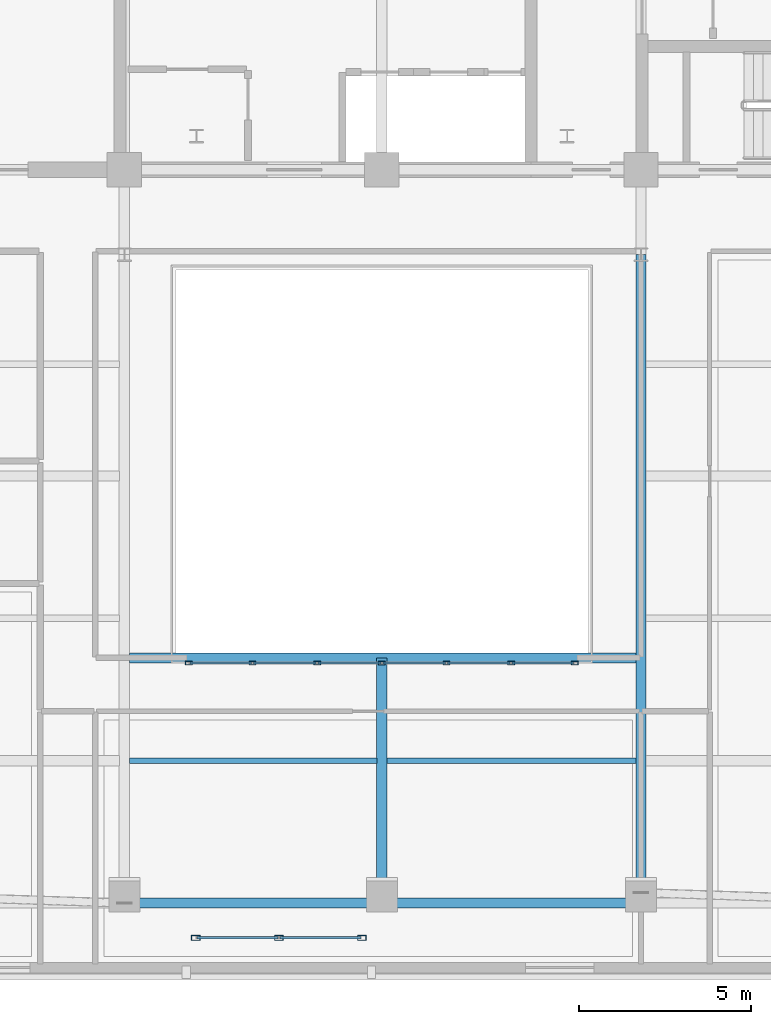
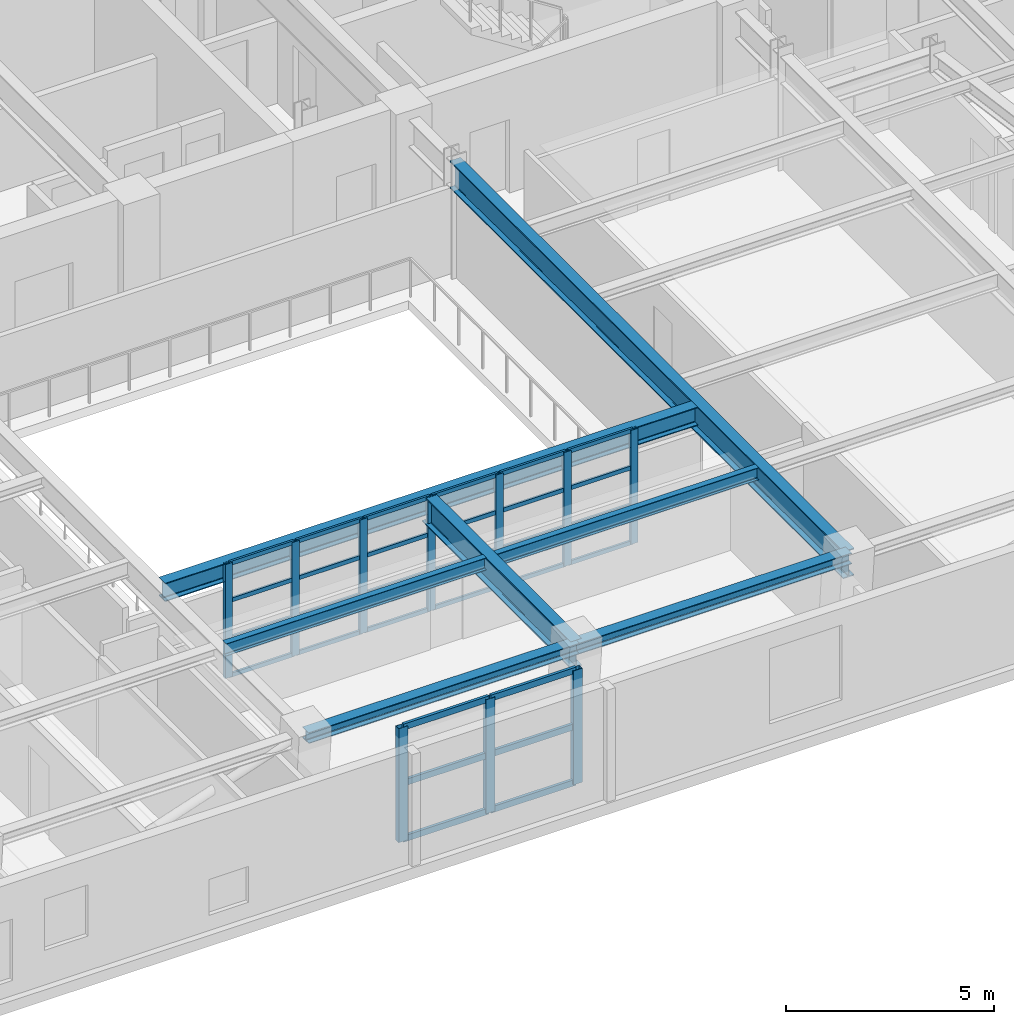
# One storey, part 2 of 14: 40 members, 7 beams, 2 elements without a shape of their own.
"""IFC4 building model written with IfcOpenShell, lengths in metres."""

from ifc_helpers import new_model, si_unit, direction, frame, origin, origin_2d, place, context, subcontext, project, spatial, hollow_rectangle, i_section, extrude, material, layer, layer_set, material_profile, profile_set, type_object, element, aggregate, save


model = new_model("IFC4")

# Units and contexts
model_context = context("Model", 3, precision=1e-05, world=origin(), true_north=direction((0.0, 1.0)))
body_context = subcontext(model_context, "Body", "Model", "MODEL_VIEW")
ifc_project = project(units=[si_unit("LENGTHUNIT", "METRE"), si_unit("AREAUNIT", "SQUARE_METRE"), si_unit("VOLUMEUNIT", "CUBIC_METRE"), si_unit("PLANEANGLEUNIT", "RADIAN"), si_unit("MASSUNIT", "GRAM", prefix="KILO")], contexts=[model_context])

# Site, building, storey
site_placement = place(None, origin())
site = spatial("IfcSite", under=ifc_project, at=site_placement, CompositionType="ELEMENT")
building_placement = place(site_placement, origin())
building = spatial("IfcBuilding", under=site, at=building_placement, Name="Zarnavel Station Tower", CompositionType="ELEMENT")
storey_placement = place(building_placement, frame((0.0, 0.0, 214.800048828125)))
storey = spatial("IfcBuildingStorey", under=building, at=storey_placement, Name="L58", CompositionType="ELEMENT", Elevation=214.800048828125)

# Curtain wall, members
ifc_material_1 = material(Name="Aluminium Dark Anodised and Solar-Control Glass", Category="aluminium")
ifc_layer_1 = layer(ifc_material_1, 0.179931640625)
ifc_layer_set_1 = layer_set([ifc_layer_1], Name="CWS5")
curtain_wall_type_1 = type_object("IfcCurtainWallType", Name="CWS5", PredefinedType="NOTDEFINED", material=ifc_layer_set_1)
curtain_wall_1_placement = place(storey_placement, origin())
curtain_wall_1 = element("IfcCurtainWall", 1, at=curtain_wall_1_placement, inside=storey, type_object=curtain_wall_type_1, Name="L58 Curtain Wall CWS5-L58-AS", PredefinedType="NOTDEFINED")
ifc_material_2 = material(Name="Steel S355J2 (Black Fluoropolymer Coated)", Category="steel")
ifc_material_profile_1 = material_profile(ifc_material_2, hollow_rectangle(XDim=0.10009765625, YDim=0.199951171875, WallThickness=0.008056640625, at=origin_2d()), Name="RHS200x100x8")
ifc_profile_set_1 = profile_set([ifc_material_profile_1], Name="Steel S355J2 (Black Fluoropolymer Coated)")
member_type_1 = type_object("IfcMemberType", Name="CWS5_MUL", PredefinedType="MULLION", material=ifc_profile_set_1)
member_1_placement = place(storey_placement, frame((23.179931640625, 13.449951171875, 0.0), z_axis=(0.0, 0.0, 1.0), x_axis=(0.0, 1.0, 0.0)))
member_1 = element("IfcMember", 2, at=member_1_placement, type_object=member_type_1, Name="CW5 mullion 1", PredefinedType="MULLION", context=body_context, shape_type="SweptSolid", body=[
    extrude(hollow_rectangle(XDim=0.10009765625, YDim=0.199951171875, WallThickness=0.008056640625, at=origin_2d()), origin(), (0.0, 0.0, 1.0), 3.33984375),
])
member_2_placement = place(storey_placement, frame((25.033447265625, 13.449951171875, 0.0), z_axis=(0.0, 0.0, 1.0), x_axis=(0.0, 1.0, 0.0)))
member_2 = element("IfcMember", 3, at=member_2_placement, type_object=member_type_1, Name="CW5 mullion 2", PredefinedType="MULLION", context=body_context, shape_type="SweptSolid", body=[
    extrude(hollow_rectangle(XDim=0.10009765625, YDim=0.199951171875, WallThickness=0.008056640625, at=origin_2d()), origin(), (0.0, 0.0, 1.0), 3.33984375),
])
member_3_placement = place(storey_placement, frame((26.916748046875, 13.449951171875, 0.0), z_axis=(0.0, 0.0, 1.0), x_axis=(0.0, 1.0, 0.0)))
member_3 = element("IfcMember", 4, at=member_3_placement, type_object=member_type_1, Name="CW5 mullion 3", PredefinedType="MULLION", context=body_context, shape_type="SweptSolid", body=[
    extrude(hollow_rectangle(XDim=0.10009765625, YDim=0.199951171875, WallThickness=0.008056640625, at=origin_2d()), origin(), (0.0, 0.0, 1.0), 3.33984375),
])
member_4_placement = place(storey_placement, frame((28.800048828125, 13.449951171875, 0.0), z_axis=(0.0, 0.0, 1.0), x_axis=(0.0, 1.0, 0.0)))
member_4 = element("IfcMember", 5, at=member_4_placement, type_object=member_type_1, Name="CW5 mullion 4", PredefinedType="MULLION", context=body_context, shape_type="SweptSolid", body=[
    extrude(hollow_rectangle(XDim=0.10009765625, YDim=0.199951171875, WallThickness=0.008056640625, at=origin_2d()), origin(), (0.0, 0.0, 1.0), 3.33984375),
])
member_5_placement = place(storey_placement, frame((30.683349609375, 13.449951171875, 0.0), z_axis=(0.0, 0.0, 1.0), x_axis=(0.0, 1.0, 0.0)))
member_5 = element("IfcMember", 6, at=member_5_placement, type_object=member_type_1, Name="CW5 mullion 5", PredefinedType="MULLION", context=body_context, shape_type="SweptSolid", body=[
    extrude(hollow_rectangle(XDim=0.10009765625, YDim=0.199951171875, WallThickness=0.008056640625, at=origin_2d()), origin(), (0.0, 0.0, 1.0), 3.33984375),
])
member_6_placement = place(storey_placement, frame((32.566650390625, 13.449951171875, 0.0), z_axis=(0.0, 0.0, 1.0), x_axis=(0.0, 1.0, 0.0)))
member_6 = element("IfcMember", 7, at=member_6_placement, type_object=member_type_1, Name="CW5 mullion 6", PredefinedType="MULLION", context=body_context, shape_type="SweptSolid", body=[
    extrude(hollow_rectangle(XDim=0.10009765625, YDim=0.199951171875, WallThickness=0.008056640625, at=origin_2d()), origin(), (0.0, 0.0, 1.0), 3.33984375),
])
member_7_placement = place(storey_placement, frame((34.419921875, 13.449951171875, 0.0), z_axis=(0.0, 0.0, 1.0), x_axis=(0.0, 1.0, 0.0)))
member_7 = element("IfcMember", 8, at=member_7_placement, type_object=member_type_1, Name="CW5 mullion 7", PredefinedType="MULLION", context=body_context, shape_type="SweptSolid", body=[
    extrude(hollow_rectangle(XDim=0.10009765625, YDim=0.199951171875, WallThickness=0.008056640625, at=origin_2d()), origin(), (0.0, 0.0, 1.0), 3.33984375),
])
ifc_material_3 = material(Name="Steel S355J2 (Black Fluoropolymer Coated)", Category="steel")
ifc_material_profile_2 = material_profile(ifc_material_3, hollow_rectangle(XDim=0.06005859375, YDim=0.1201171875, WallThickness=0.0048828125, at=origin_2d()), Name="RHS120x60x5")
ifc_profile_set_2 = profile_set([ifc_material_profile_2], Name="Steel S355J2 (Black Fluoropolymer Coated)")
member_type_2 = type_object("IfcMemberType", Name="CWS5_TRN", PredefinedType="USERDEFINED", material=ifc_profile_set_2)
member_8_placement = place(storey_placement, frame((23.2099609375, 13.449951171875, 0.030029296875), z_axis=(1.0, 0.0, 0.0), x_axis=(0.0, 1.0, 0.0)))
member_8 = element("IfcMember", 9, at=member_8_placement, type_object=member_type_2, Name="CW5 transom 1.1", ObjectType="TRANSOM", PredefinedType="USERDEFINED", context=body_context, shape_type="SweptSolid", body=[
    extrude(hollow_rectangle(XDim=0.06005859375, YDim=0.1201171875, WallThickness=0.0048828125, at=origin_2d()), origin(), (0.0, 0.0, 1.0), 1.79345703125),
])
member_9_placement = place(storey_placement, frame((23.2099609375, 13.449951171875, 1.11328125), z_axis=(1.0, 0.0, 0.0), x_axis=(0.0, 1.0, 0.0)))
member_9 = element("IfcMember", 10, at=member_9_placement, type_object=member_type_2, Name="CW5 transom 1.2", ObjectType="TRANSOM", PredefinedType="USERDEFINED", context=body_context, shape_type="SweptSolid", body=[
    extrude(hollow_rectangle(XDim=0.06005859375, YDim=0.1201171875, WallThickness=0.0048828125, at=origin_2d()), origin(), (0.0, 0.0, 1.0), 1.79345703125),
])
member_10_placement = place(storey_placement, frame((23.2099609375, 13.449951171875, 2.2265625), z_axis=(1.0, 0.0, 0.0), x_axis=(0.0, 1.0, 0.0)))
member_10 = element("IfcMember", 11, at=member_10_placement, type_object=member_type_2, Name="CW5 transom 1.3", ObjectType="TRANSOM", PredefinedType="USERDEFINED", context=body_context, shape_type="SweptSolid", body=[
    extrude(hollow_rectangle(XDim=0.06005859375, YDim=0.1201171875, WallThickness=0.0048828125, at=origin_2d()), origin(), (0.0, 0.0, 1.0), 1.79345703125),
])
member_11_placement = place(storey_placement, frame((23.2099609375, 13.449951171875, 3.31005859375), z_axis=(1.0, 0.0, 0.0), x_axis=(0.0, 1.0, 0.0)))
member_11 = element("IfcMember", 12, at=member_11_placement, type_object=member_type_2, Name="CW5 transom 1.4", ObjectType="TRANSOM", PredefinedType="USERDEFINED", context=body_context, shape_type="SweptSolid", body=[
    extrude(hollow_rectangle(XDim=0.06005859375, YDim=0.1201171875, WallThickness=0.0048828125, at=origin_2d()), origin(), (0.0, 0.0, 1.0), 1.79345703125),
])
member_12_placement = place(storey_placement, frame((25.063232421875, 13.449951171875, 0.030029296875), z_axis=(1.0, 0.0, 0.0), x_axis=(0.0, 1.0, 0.0)))
member_12 = element("IfcMember", 13, at=member_12_placement, type_object=member_type_2, Name="CW5 transom 2.1", ObjectType="TRANSOM", PredefinedType="USERDEFINED", context=body_context, shape_type="SweptSolid", body=[
    extrude(hollow_rectangle(XDim=0.06005859375, YDim=0.1201171875, WallThickness=0.0048828125, at=origin_2d()), origin(), (0.0, 0.0, 1.0), 1.823486328125),
])
member_13_placement = place(storey_placement, frame((25.063232421875, 13.449951171875, 1.11328125), z_axis=(1.0, 0.0, 0.0), x_axis=(0.0, 1.0, 0.0)))
member_13 = element("IfcMember", 14, at=member_13_placement, type_object=member_type_2, Name="CW5 transom 2.2", ObjectType="TRANSOM", PredefinedType="USERDEFINED", context=body_context, shape_type="SweptSolid", body=[
    extrude(hollow_rectangle(XDim=0.06005859375, YDim=0.1201171875, WallThickness=0.0048828125, at=origin_2d()), origin(), (0.0, 0.0, 1.0), 1.823486328125),
])
member_14_placement = place(storey_placement, frame((25.063232421875, 13.449951171875, 2.2265625), z_axis=(1.0, 0.0, 0.0), x_axis=(0.0, 1.0, 0.0)))
member_14 = element("IfcMember", 15, at=member_14_placement, type_object=member_type_2, Name="CW5 transom 2.3", ObjectType="TRANSOM", PredefinedType="USERDEFINED", context=body_context, shape_type="SweptSolid", body=[
    extrude(hollow_rectangle(XDim=0.06005859375, YDim=0.1201171875, WallThickness=0.0048828125, at=origin_2d()), origin(), (0.0, 0.0, 1.0), 1.823486328125),
])
member_15_placement = place(storey_placement, frame((25.063232421875, 13.449951171875, 3.31005859375), z_axis=(1.0, 0.0, 0.0), x_axis=(0.0, 1.0, 0.0)))
member_15 = element("IfcMember", 16, at=member_15_placement, type_object=member_type_2, Name="CW5 transom 2.4", ObjectType="TRANSOM", PredefinedType="USERDEFINED", context=body_context, shape_type="SweptSolid", body=[
    extrude(hollow_rectangle(XDim=0.06005859375, YDim=0.1201171875, WallThickness=0.0048828125, at=origin_2d()), origin(), (0.0, 0.0, 1.0), 1.823486328125),
])
member_16_placement = place(storey_placement, frame((26.94677734375, 13.449951171875, 0.030029296875), z_axis=(1.0, 0.0, 0.0), x_axis=(0.0, 1.0, 0.0)))
member_16 = element("IfcMember", 17, at=member_16_placement, type_object=member_type_2, Name="CW5 transom 3.1", ObjectType="TRANSOM", PredefinedType="USERDEFINED", context=body_context, shape_type="SweptSolid", body=[
    extrude(hollow_rectangle(XDim=0.06005859375, YDim=0.1201171875, WallThickness=0.0048828125, at=origin_2d()), origin(), (0.0, 0.0, 1.0), 1.8232421875),
])
member_17_placement = place(storey_placement, frame((26.94677734375, 13.449951171875, 1.11328125), z_axis=(1.0, 0.0, 0.0), x_axis=(0.0, 1.0, 0.0)))
member_17 = element("IfcMember", 18, at=member_17_placement, type_object=member_type_2, Name="CW5 transom 3.2", ObjectType="TRANSOM", PredefinedType="USERDEFINED", context=body_context, shape_type="SweptSolid", body=[
    extrude(hollow_rectangle(XDim=0.06005859375, YDim=0.1201171875, WallThickness=0.0048828125, at=origin_2d()), origin(), (0.0, 0.0, 1.0), 1.8232421875),
])
member_18_placement = place(storey_placement, frame((26.94677734375, 13.449951171875, 2.2265625), z_axis=(1.0, 0.0, 0.0), x_axis=(0.0, 1.0, 0.0)))
member_18 = element("IfcMember", 19, at=member_18_placement, type_object=member_type_2, Name="CW5 transom 3.3", ObjectType="TRANSOM", PredefinedType="USERDEFINED", context=body_context, shape_type="SweptSolid", body=[
    extrude(hollow_rectangle(XDim=0.06005859375, YDim=0.1201171875, WallThickness=0.0048828125, at=origin_2d()), origin(), (0.0, 0.0, 1.0), 1.8232421875),
])
member_19_placement = place(storey_placement, frame((26.94677734375, 13.449951171875, 3.31005859375), z_axis=(1.0, 0.0, 0.0), x_axis=(0.0, 1.0, 0.0)))
member_19 = element("IfcMember", 20, at=member_19_placement, type_object=member_type_2, Name="CW5 transom 3.4", ObjectType="TRANSOM", PredefinedType="USERDEFINED", context=body_context, shape_type="SweptSolid", body=[
    extrude(hollow_rectangle(XDim=0.06005859375, YDim=0.1201171875, WallThickness=0.0048828125, at=origin_2d()), origin(), (0.0, 0.0, 1.0), 1.8232421875),
])
member_20_placement = place(storey_placement, frame((28.830078125, 13.449951171875, 0.030029296875), z_axis=(1.0, 0.0, 0.0), x_axis=(0.0, 1.0, 0.0)))
member_20 = element("IfcMember", 21, at=member_20_placement, type_object=member_type_2, Name="CW5 transom 4.1", ObjectType="TRANSOM", PredefinedType="USERDEFINED", context=body_context, shape_type="SweptSolid", body=[
    extrude(hollow_rectangle(XDim=0.06005859375, YDim=0.1201171875, WallThickness=0.0048828125, at=origin_2d()), origin(), (0.0, 0.0, 1.0), 1.8232421875),
])
member_21_placement = place(storey_placement, frame((28.830078125, 13.449951171875, 1.11328125), z_axis=(1.0, 0.0, 0.0), x_axis=(0.0, 1.0, 0.0)))
member_21 = element("IfcMember", 22, at=member_21_placement, type_object=member_type_2, Name="CW5 transom 4.2", ObjectType="TRANSOM", PredefinedType="USERDEFINED", context=body_context, shape_type="SweptSolid", body=[
    extrude(hollow_rectangle(XDim=0.06005859375, YDim=0.1201171875, WallThickness=0.0048828125, at=origin_2d()), origin(), (0.0, 0.0, 1.0), 1.8232421875),
])
member_22_placement = place(storey_placement, frame((28.830078125, 13.449951171875, 2.2265625), z_axis=(1.0, 0.0, 0.0), x_axis=(0.0, 1.0, 0.0)))
member_22 = element("IfcMember", 23, at=member_22_placement, type_object=member_type_2, Name="CW5 transom 4.3", ObjectType="TRANSOM", PredefinedType="USERDEFINED", context=body_context, shape_type="SweptSolid", body=[
    extrude(hollow_rectangle(XDim=0.06005859375, YDim=0.1201171875, WallThickness=0.0048828125, at=origin_2d()), origin(), (0.0, 0.0, 1.0), 1.8232421875),
])
member_23_placement = place(storey_placement, frame((28.830078125, 13.449951171875, 3.31005859375), z_axis=(1.0, 0.0, 0.0), x_axis=(0.0, 1.0, 0.0)))
member_23 = element("IfcMember", 24, at=member_23_placement, type_object=member_type_2, Name="CW5 transom 4.4", ObjectType="TRANSOM", PredefinedType="USERDEFINED", context=body_context, shape_type="SweptSolid", body=[
    extrude(hollow_rectangle(XDim=0.06005859375, YDim=0.1201171875, WallThickness=0.0048828125, at=origin_2d()), origin(), (0.0, 0.0, 1.0), 1.8232421875),
])
member_24_placement = place(storey_placement, frame((30.71337890625, 13.449951171875, 0.030029296875), z_axis=(1.0, 0.0, 0.0), x_axis=(0.0, 1.0, 0.0)))
member_24 = element("IfcMember", 25, at=member_24_placement, type_object=member_type_2, Name="CW5 transom 5.1", ObjectType="TRANSOM", PredefinedType="USERDEFINED", context=body_context, shape_type="SweptSolid", body=[
    extrude(hollow_rectangle(XDim=0.06005859375, YDim=0.1201171875, WallThickness=0.0048828125, at=origin_2d()), origin(), (0.0, 0.0, 1.0), 1.8232421875),
])
member_25_placement = place(storey_placement, frame((30.71337890625, 13.449951171875, 1.11328125), z_axis=(1.0, 0.0, 0.0), x_axis=(0.0, 1.0, 0.0)))
member_25 = element("IfcMember", 26, at=member_25_placement, type_object=member_type_2, Name="CW5 transom 5.2", ObjectType="TRANSOM", PredefinedType="USERDEFINED", context=body_context, shape_type="SweptSolid", body=[
    extrude(hollow_rectangle(XDim=0.06005859375, YDim=0.1201171875, WallThickness=0.0048828125, at=origin_2d()), origin(), (0.0, 0.0, 1.0), 1.8232421875),
])
member_26_placement = place(storey_placement, frame((30.71337890625, 13.449951171875, 2.2265625), z_axis=(1.0, 0.0, 0.0), x_axis=(0.0, 1.0, 0.0)))
member_26 = element("IfcMember", 27, at=member_26_placement, type_object=member_type_2, Name="CW5 transom 5.3", ObjectType="TRANSOM", PredefinedType="USERDEFINED", context=body_context, shape_type="SweptSolid", body=[
    extrude(hollow_rectangle(XDim=0.06005859375, YDim=0.1201171875, WallThickness=0.0048828125, at=origin_2d()), origin(), (0.0, 0.0, 1.0), 1.8232421875),
])
member_27_placement = place(storey_placement, frame((30.71337890625, 13.449951171875, 3.31005859375), z_axis=(1.0, 0.0, 0.0), x_axis=(0.0, 1.0, 0.0)))
member_27 = element("IfcMember", 28, at=member_27_placement, type_object=member_type_2, Name="CW5 transom 5.4", ObjectType="TRANSOM", PredefinedType="USERDEFINED", context=body_context, shape_type="SweptSolid", body=[
    extrude(hollow_rectangle(XDim=0.06005859375, YDim=0.1201171875, WallThickness=0.0048828125, at=origin_2d()), origin(), (0.0, 0.0, 1.0), 1.8232421875),
])
member_28_placement = place(storey_placement, frame((32.5966796875, 13.449951171875, 0.030029296875), z_axis=(1.0, 0.0, 0.0), x_axis=(0.0, 1.0, 0.0)))
member_28 = element("IfcMember", 29, at=member_28_placement, type_object=member_type_2, Name="CW5 transom 6.1", ObjectType="TRANSOM", PredefinedType="USERDEFINED", context=body_context, shape_type="SweptSolid", body=[
    extrude(hollow_rectangle(XDim=0.06005859375, YDim=0.1201171875, WallThickness=0.0048828125, at=origin_2d()), origin(), (0.0, 0.0, 1.0), 1.793212890625),
])
member_29_placement = place(storey_placement, frame((32.5966796875, 13.449951171875, 1.11328125), z_axis=(1.0, 0.0, 0.0), x_axis=(0.0, 1.0, 0.0)))
member_29 = element("IfcMember", 30, at=member_29_placement, type_object=member_type_2, Name="CW5 transom 6.2", ObjectType="TRANSOM", PredefinedType="USERDEFINED", context=body_context, shape_type="SweptSolid", body=[
    extrude(hollow_rectangle(XDim=0.06005859375, YDim=0.1201171875, WallThickness=0.0048828125, at=origin_2d()), origin(), (0.0, 0.0, 1.0), 1.793212890625),
])
member_30_placement = place(storey_placement, frame((32.5966796875, 13.449951171875, 2.2265625), z_axis=(1.0, 0.0, 0.0), x_axis=(0.0, 1.0, 0.0)))
member_30 = element("IfcMember", 31, at=member_30_placement, type_object=member_type_2, Name="CW5 transom 6.3", ObjectType="TRANSOM", PredefinedType="USERDEFINED", context=body_context, shape_type="SweptSolid", body=[
    extrude(hollow_rectangle(XDim=0.06005859375, YDim=0.1201171875, WallThickness=0.0048828125, at=origin_2d()), origin(), (0.0, 0.0, 1.0), 1.793212890625),
])
member_31_placement = place(storey_placement, frame((32.5966796875, 13.449951171875, 3.31005859375), z_axis=(1.0, 0.0, 0.0), x_axis=(0.0, 1.0, 0.0)))
member_31 = element("IfcMember", 32, at=member_31_placement, type_object=member_type_2, Name="CW5 transom 6.4", ObjectType="TRANSOM", PredefinedType="USERDEFINED", context=body_context, shape_type="SweptSolid", body=[
    extrude(hollow_rectangle(XDim=0.06005859375, YDim=0.1201171875, WallThickness=0.0048828125, at=origin_2d()), origin(), (0.0, 0.0, 1.0), 1.793212890625),
])
aggregate(curtain_wall_1, [member_1, member_2, member_3, member_4, member_5, member_6, member_7, member_8, member_9, member_10, member_11, member_12, member_13, member_14, member_15, member_16, member_17, member_18, member_19, member_20, member_21, member_22, member_23, member_24, member_25, member_26, member_27, member_28, member_29, member_30, member_31])

ifc_material_4 = material(Name="Aluminium Dark Anodised and Solar-Control Glass", Category="aluminium")
ifc_layer_2 = layer(ifc_material_4, 0.179931640625)
ifc_layer_set_2 = layer_set([ifc_layer_2], Name="CWS6")
curtain_wall_type_2 = type_object("IfcCurtainWallType", Name="CWS6", PredefinedType="NOTDEFINED", material=ifc_layer_set_2)
curtain_wall_2_placement = place(storey_placement, origin())
curtain_wall_2 = element("IfcCurtainWall", 33, at=curtain_wall_2_placement, inside=storey, type_object=curtain_wall_type_2, Name="L58 Curtain Wall CWS6-LOG-L58", PredefinedType="NOTDEFINED")
ifc_material_5 = material(Name="Steel S355J2 (Black Fluoropolymer Coated)", Category="steel")
ifc_material_profile_3 = material_profile(ifc_material_5, hollow_rectangle(XDim=0.14990234375, YDim=0.25, WallThickness=0.010009765625, at=origin_2d()), Name="RHS250x150x10")
ifc_profile_set_3 = profile_set([ifc_material_profile_3], Name="Steel S355J2 (Black Fluoropolymer Coated)")
member_type_3 = type_object("IfcMemberType", Name="CWS6_MUL", PredefinedType="MULLION", material=ifc_profile_set_3)
member_32_placement = place(storey_placement, frame((23.3798828125, 5.449951171875, 0.0), z_axis=(0.0, 0.0, 1.0), x_axis=(0.0, 1.0, 0.0)))
member_32 = element("IfcMember", 34, at=member_32_placement, type_object=member_type_3, Name="CW6 mullion 1", PredefinedType="MULLION", context=body_context, shape_type="SweptSolid", body=[
    extrude(hollow_rectangle(XDim=0.14990234375, YDim=0.25, WallThickness=0.010009765625, at=origin_2d()), origin(), (0.0, 0.0, 1.0), 3.33984375),
])
member_33_placement = place(storey_placement, frame((25.800048828125, 5.449951171875, 0.0), z_axis=(0.0, 0.0, 1.0), x_axis=(0.0, 1.0, 0.0)))
member_33 = element("IfcMember", 35, at=member_33_placement, type_object=member_type_3, Name="CW6 mullion 2", PredefinedType="MULLION", context=body_context, shape_type="SweptSolid", body=[
    extrude(hollow_rectangle(XDim=0.14990234375, YDim=0.25, WallThickness=0.010009765625, at=origin_2d()), origin(), (0.0, 0.0, 1.0), 3.33984375),
])
member_34_placement = place(storey_placement, frame((28.219970703125, 5.449951171875, 0.0), z_axis=(0.0, 0.0, 1.0), x_axis=(0.0, 1.0, 0.0)))
member_34 = element("IfcMember", 36, at=member_34_placement, type_object=member_type_3, Name="CW6 mullion 3", PredefinedType="MULLION", context=body_context, shape_type="SweptSolid", body=[
    extrude(hollow_rectangle(XDim=0.14990234375, YDim=0.25, WallThickness=0.010009765625, at=origin_2d()), origin(), (0.0, 0.0, 1.0), 3.33984375),
])
ifc_material_6 = material(Name="Steel S355J2 (Black Fluoropolymer Coated)", Category="steel")
ifc_material_profile_4 = material_profile(ifc_material_6, hollow_rectangle(XDim=0.080078125, YDim=0.179931640625, WallThickness=0.00634765625, at=origin_2d()), Name="RHS180x80x6.3")
ifc_profile_set_4 = profile_set([ifc_material_profile_4], Name="Steel S355J2 (Black Fluoropolymer Coated)")
member_type_4 = type_object("IfcMemberType", Name="CWS6_TRN", PredefinedType="USERDEFINED", material=ifc_profile_set_4)
member_35_placement = place(storey_placement, frame((23.409912109375, 5.449951171875, 0.030029296875), z_axis=(1.0, 0.0, 0.0), x_axis=(0.0, 1.0, 0.0)))
member_35 = element("IfcMember", 37, at=member_35_placement, type_object=member_type_4, Name="CW6 transom 1.1", ObjectType="TRANSOM", PredefinedType="USERDEFINED", context=body_context, shape_type="SweptSolid", body=[
    extrude(hollow_rectangle(XDim=0.080078125, YDim=0.179931640625, WallThickness=0.00634765625, at=origin_2d()), origin(), (0.0, 0.0, 1.0), 2.360107421875),
])
member_36_placement = place(storey_placement, frame((23.409912109375, 5.449951171875, 1.669921875), z_axis=(1.0, 0.0, 0.0), x_axis=(0.0, 1.0, 0.0)))
member_36 = element("IfcMember", 38, at=member_36_placement, type_object=member_type_4, Name="CW6 transom 1.2", ObjectType="TRANSOM", PredefinedType="USERDEFINED", context=body_context, shape_type="SweptSolid", body=[
    extrude(hollow_rectangle(XDim=0.080078125, YDim=0.179931640625, WallThickness=0.00634765625, at=origin_2d()), origin(), (0.0, 0.0, 1.0), 2.360107421875),
])
member_37_placement = place(storey_placement, frame((23.409912109375, 5.449951171875, 3.31005859375), z_axis=(1.0, 0.0, 0.0), x_axis=(0.0, 1.0, 0.0)))
member_37 = element("IfcMember", 39, at=member_37_placement, type_object=member_type_4, Name="CW6 transom 1.3", ObjectType="TRANSOM", PredefinedType="USERDEFINED", context=body_context, shape_type="SweptSolid", body=[
    extrude(hollow_rectangle(XDim=0.080078125, YDim=0.179931640625, WallThickness=0.00634765625, at=origin_2d()), origin(), (0.0, 0.0, 1.0), 2.360107421875),
])
member_38_placement = place(storey_placement, frame((25.830078125, 5.449951171875, 0.030029296875), z_axis=(1.0, 0.0, 0.0), x_axis=(0.0, 1.0, 0.0)))
member_38 = element("IfcMember", 40, at=member_38_placement, type_object=member_type_4, Name="CW6 transom 2.1", ObjectType="TRANSOM", PredefinedType="USERDEFINED", context=body_context, shape_type="SweptSolid", body=[
    extrude(hollow_rectangle(XDim=0.080078125, YDim=0.179931640625, WallThickness=0.00634765625, at=origin_2d()), origin(), (0.0, 0.0, 1.0), 2.35986328125),
])
member_39_placement = place(storey_placement, frame((25.830078125, 5.449951171875, 1.669921875), z_axis=(1.0, 0.0, 0.0), x_axis=(0.0, 1.0, 0.0)))
member_39 = element("IfcMember", 41, at=member_39_placement, type_object=member_type_4, Name="CW6 transom 2.2", ObjectType="TRANSOM", PredefinedType="USERDEFINED", context=body_context, shape_type="SweptSolid", body=[
    extrude(hollow_rectangle(XDim=0.080078125, YDim=0.179931640625, WallThickness=0.00634765625, at=origin_2d()), origin(), (0.0, 0.0, 1.0), 2.35986328125),
])
member_40_placement = place(storey_placement, frame((25.830078125, 5.449951171875, 3.31005859375), z_axis=(1.0, 0.0, 0.0), x_axis=(0.0, 1.0, 0.0)))
member_40 = element("IfcMember", 42, at=member_40_placement, type_object=member_type_4, Name="CW6 transom 2.3", ObjectType="TRANSOM", PredefinedType="USERDEFINED", context=body_context, shape_type="SweptSolid", body=[
    extrude(hollow_rectangle(XDim=0.080078125, YDim=0.179931640625, WallThickness=0.00634765625, at=origin_2d()), origin(), (0.0, 0.0, 1.0), 2.35986328125),
])
aggregate(curtain_wall_2, [member_32, member_33, member_34, member_35, member_36, member_37, member_38, member_39, member_40])

# Beams
ifc_material_7 = material(Name="Steel S355J2", Category="steel")
ifc_material_profile_5 = material_profile(ifc_material_7, i_section(OverallWidth=0.300048828125, OverallDepth=0.320068359375, WebThickness=0.011474609375, FlangeThickness=0.0205078125, FilletRadius=0.027099609375, at=origin_2d()), Name="HEB320")
ifc_profile_set_5 = profile_set([ifc_material_profile_5], Name="Steel S355J2")
beam_type_1 = type_object("IfcBeamType", Name="EB_HEB320", PredefinedType="SPANDREL", material=ifc_profile_set_5)
beam_1_placement = place(storey_placement, frame((21.300048828125, 6.460205078125, 3.179931640625), z_axis=(1.0, 0.0, 0.0), x_axis=(0.0, 1.0, 0.0)))
element("IfcBeam", 43, at=beam_1_placement, inside=storey, type_object=beam_type_1, Name="L58 South Raked Spandrel 2", PredefinedType="SPANDREL", context=body_context, shape_type="SweptSolid", body=[
    extrude(i_section(OverallWidth=0.300048828125, OverallDepth=0.320068359375, WebThickness=0.011474609375, FlangeThickness=0.0205078125, FilletRadius=0.027099609375, at=origin_2d()), origin(), (0.0, 0.0, 1.0), 7.5),
])
beam_2_placement = place(storey_placement, frame((28.800048828125, 6.460205078125, 3.179931640625), z_axis=(1.0, 0.0, 0.0), x_axis=(0.0, 1.0, 0.0)))
element("IfcBeam", 44, at=beam_2_placement, inside=storey, type_object=beam_type_1, Name="L58 South Raked Spandrel 3", PredefinedType="SPANDREL", context=body_context, shape_type="SweptSolid", body=[
    extrude(i_section(OverallWidth=0.300048828125, OverallDepth=0.320068359375, WebThickness=0.011474609375, FlangeThickness=0.0205078125, FilletRadius=0.027099609375, at=origin_2d()), origin(), (0.0, 0.0, 1.0), 7.550048828125),
])
ifc_material_8 = material(Name="Steel S355J2", Category="steel")
ifc_material_profile_6 = material_profile(ifc_material_8, i_section(OverallWidth=0.300048828125, OverallDepth=0.5400390625, WebThickness=0.012451171875, FlangeThickness=0.02392578125, FilletRadius=0.027099609375, at=origin_2d()), Name="HEA550")
ifc_profile_set_6 = profile_set([ifc_material_profile_6], Name="Steel S355J2")
beam_type_2 = type_object("IfcBeamType", Name="FB_HEA550", PredefinedType="BEAM", material=ifc_profile_set_6)
beam_3_placement = place(storey_placement, frame((21.445068359375, 13.60009765625, 3.070068359375), z_axis=(1.0, 0.0, 0.0), x_axis=(0.0, 1.0, 0.0)))
element("IfcBeam", 45, at=beam_3_placement, inside=storey, type_object=beam_type_2, Name="L58 Atrium South Edge Girder", PredefinedType="BEAM", context=body_context, shape_type="SweptSolid", body=[
    extrude(i_section(OverallWidth=0.300048828125, OverallDepth=0.5400390625, WebThickness=0.012451171875, FlangeThickness=0.02392578125, FilletRadius=0.027099609375, at=origin_2d()), origin(), (0.0, 0.0, 1.0), 14.760009765625),
])
ifc_material_9 = material(Name="Steel S355J2", Category="steel")
ifc_material_profile_7 = material_profile(ifc_material_9, i_section(OverallWidth=0.300048828125, OverallDepth=0.800048828125, WebThickness=0.017578125, FlangeThickness=0.032958984375, FilletRadius=0.030029296875, at=origin_2d()), Name="HEB800")
ifc_profile_set_7 = profile_set([ifc_material_profile_7], Name="Steel S355J2")
beam_type_3 = type_object("IfcBeamType", Name="FG_HEB800", PredefinedType="USERDEFINED", material=ifc_profile_set_7)
beam_4_placement = place(storey_placement, frame((28.800048828125, 6.460205078125, 2.93994140625), z_axis=(0.0, 1.0, 0.0), x_axis=(-1.0, 0.0, 0.0)))
element("IfcBeam", 46, at=beam_4_placement, inside=storey, type_object=beam_type_3, Name="L58 Central Atrium-South Girder", ObjectType="GIRDER", PredefinedType="USERDEFINED", context=body_context, shape_type="SweptSolid", body=[
    extrude(i_section(OverallWidth=0.300048828125, OverallDepth=0.800048828125, WebThickness=0.017578125, FlangeThickness=0.032958984375, FilletRadius=0.030029296875, at=origin_2d()), origin(), (0.0, 0.0, 1.0), 7.139892578125),
])
beam_5_placement = place(storey_placement, frame((36.35009765625, 6.460205078125, 2.93994140625), z_axis=(0.0, 1.0, 0.0), x_axis=(-1.0, 0.0, 0.0)))
element("IfcBeam", 47, at=beam_5_placement, inside=storey, type_object=beam_type_3, Name="L58 South-Zone NS Girder 4", ObjectType="GIRDER", PredefinedType="USERDEFINED", context=body_context, shape_type="SweptSolid", body=[
    extrude(i_section(OverallWidth=0.300048828125, OverallDepth=0.800048828125, WebThickness=0.017578125, FlangeThickness=0.032958984375, FilletRadius=0.030029296875, at=origin_2d()), origin(), (0.0, 0.0, 1.0), 18.889892578125),
])
ifc_material_10 = material(Name="Steel S355J2", Category="steel")
ifc_material_profile_8 = material_profile(ifc_material_10, i_section(OverallWidth=0.169921875, OverallDepth=0.360107421875, WebThickness=0.008056640625, FlangeThickness=0.0126953125, FilletRadius=0.01806640625, at=origin_2d()), Name="IPE360")
ifc_profile_set_8 = profile_set([ifc_material_profile_8], Name="Steel S355J2")
beam_type_4 = type_object("IfcBeamType", Name="FJ_IPE360", PredefinedType="JOIST", material=ifc_profile_set_8)
beam_6_placement = place(storey_placement, frame((21.445068359375, 10.608154296875, 3.159912109375), z_axis=(1.0, 0.0, 0.0), x_axis=(0.0, 1.0, 0.0)))
element("IfcBeam", 48, at=beam_6_placement, inside=storey, type_object=beam_type_4, Name="L58 Mid-West Joist 1", PredefinedType="JOIST", context=body_context, shape_type="SweptSolid", body=[
    extrude(i_section(OverallWidth=0.169921875, OverallDepth=0.360107421875, WebThickness=0.008056640625, FlangeThickness=0.0126953125, FilletRadius=0.01806640625, at=origin_2d()), origin(), (0.0, 0.0, 1.0), 7.2099609375),
])
beam_7_placement = place(storey_placement, frame((28.945068359375, 10.608154296875, 3.159912109375), z_axis=(1.0, 0.0, 0.0), x_axis=(0.0, 1.0, 0.0)))
element("IfcBeam", 49, at=beam_7_placement, inside=storey, type_object=beam_type_4, Name="L58 Mid-East Joist 1", PredefinedType="JOIST", context=body_context, shape_type="SweptSolid", body=[
    extrude(i_section(OverallWidth=0.169921875, OverallDepth=0.360107421875, WebThickness=0.008056640625, FlangeThickness=0.0126953125, FilletRadius=0.01806640625, at=origin_2d()), origin(), (0.0, 0.0, 1.0), 7.260009765625),
])

save(model, "model.ifc")
